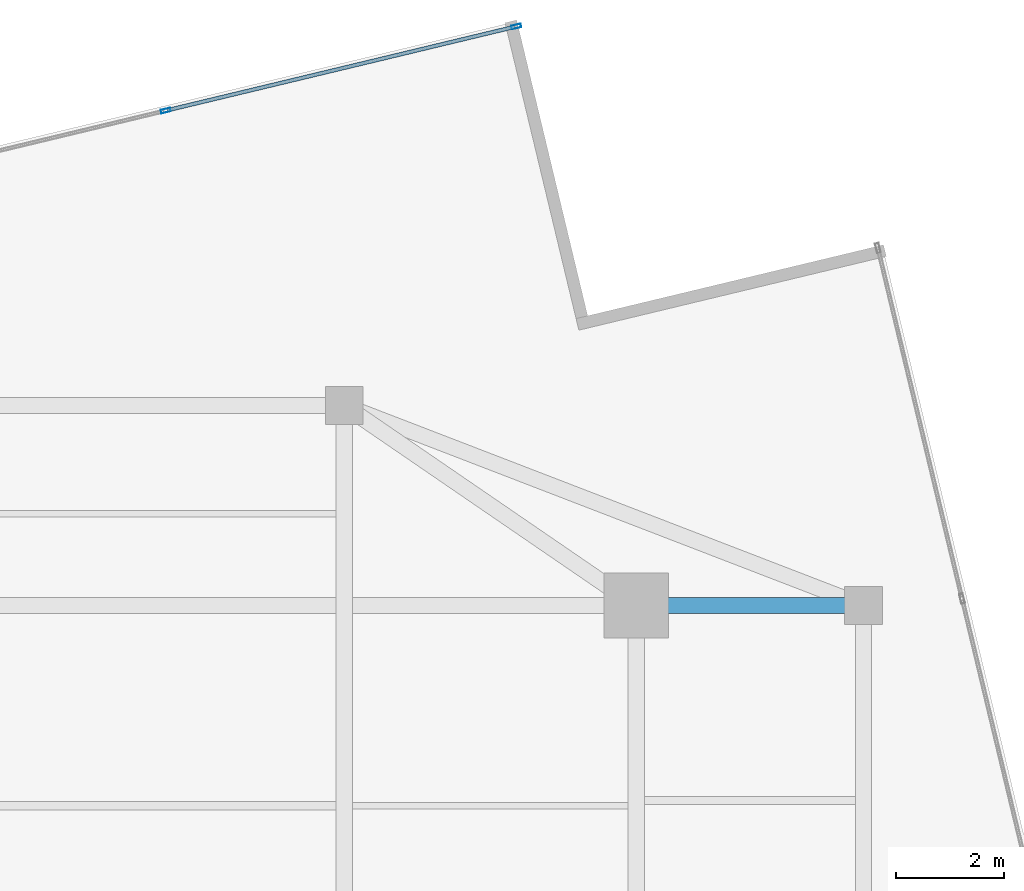
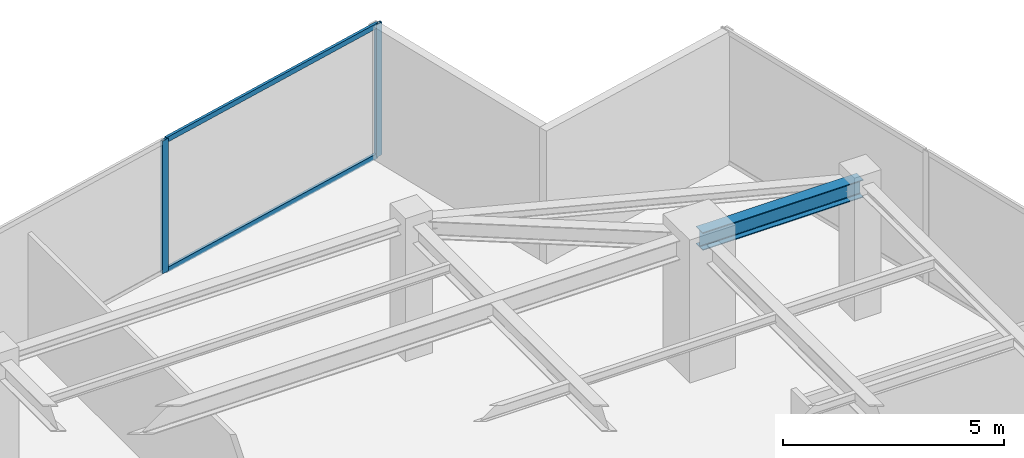
# One storey, part 16 of 22: 4 members, 1 beam, 1 element without a shape of its own.
"""IFC4 building model written with IfcOpenShell, lengths in metres."""

from ifc_helpers import new_model, si_unit, direction, frame, origin, origin_2d, place, context, subcontext, project, spatial, hollow_rectangle, i_section, extrude, source, transform, mapped, material, material_profile, profile_set, type_object, type_shapes, element, aggregate, save


model = new_model("IFC4")

# Units and contexts
model_context = context("Model", 3, precision=1e-05, world=origin(), true_north=direction((0.0, 1.0)))
body_context = subcontext(model_context, "Body", "Model", "MODEL_VIEW")
ifc_project = project(units=[si_unit("LENGTHUNIT", "METRE"), si_unit("AREAUNIT", "SQUARE_METRE"), si_unit("VOLUMEUNIT", "CUBIC_METRE"), si_unit("PLANEANGLEUNIT", "RADIAN"), si_unit("MASSUNIT", "GRAM", prefix="KILO")], contexts=[model_context])

# Site, building, storey
site_placement = place(None, origin())
site = spatial("IfcSite", under=ifc_project, at=site_placement, CompositionType="ELEMENT")
building_placement = place(site_placement, origin())
building = spatial("IfcBuilding", under=site, at=building_placement, Name="Krantzveldt Concourse Tower", CompositionType="ELEMENT")
storey_placement = place(building_placement, frame((0.0, 0.0, 355.35009765625)))
storey = spatial("IfcBuildingStorey", under=building, at=storey_placement, Name="L87", CompositionType="ELEMENT", Elevation=355.35009765625)

# Beam
ifc_material_1 = material(Name="Steel S355JR", Category="steel")
ifc_material_profile_1 = material_profile(ifc_material_1, i_section(OverallWidth=0.300048828125, OverallDepth=0.489990234375, WebThickness=0.011962890625, FlangeThickness=0.02294921875, FilletRadius=0.027099609375, at=origin_2d()), Name="Steel S355JR", Category="steel")
ifc_profile_set_1 = profile_set([ifc_material_profile_1], Name="Steel S355JR - HEA 500")
beam_type = type_object("IfcBeamType", Name="BM-B-HEA500", PredefinedType="BEAM", material=ifc_profile_set_1)
shared_shape_1 = source(origin(), body_context, "Body", "SweptSolid", [
    extrude(i_section(OverallWidth=0.300048828125, OverallDepth=0.489990234375, WebThickness=0.011962890625, FlangeThickness=0.02294921875, FilletRadius=0.027099609375, at=origin_2d()), origin(), (0.0, 0.0, 1.0), 4.199951171875),
])
type_shapes(beam_type, [shared_shape_1])
beam_placement = place(storey_placement, frame((46.800048828125, 37.5, 3.4248046875), z_axis=(1.0, 0.0, 0.0), x_axis=(0.0, 1.0, 0.0)))
element("IfcBeam", 1, at=beam_placement, inside=storey, type_object=beam_type, Name="L87 Tower Girder BR-RR3", PredefinedType="BEAM", context=body_context, shape_type="MappedRepresentation", body=[
    mapped(shared_shape_1, transform((0.0, 0.0, 0.0), x_axis=(1.0, 0.0, 0.0), y_axis=(0.0, 1.0, 0.0), z_axis=(0.0, 0.0, 1.0), scale=1.0)),
])

# Curtain wall, members
ifc_material_2 = material(Name="Anodised aluminium 6063-T6", Category="aluminium")
curtain_wall_type = type_object("IfcCurtainWallType", Name="CW4", PredefinedType="USERDEFINED", material=ifc_material_2)
curtain_wall_placement = place(storey_placement, origin())
curtain_wall = element("IfcCurtainWall", 2, at=curtain_wall_placement, inside=storey, type_object=curtain_wall_type, Name="CW-L87-F01", ObjectType="UNITISED CURTAIN WALL", PredefinedType="USERDEFINED")
ifc_material_profile_2 = material_profile(ifc_material_2, hollow_rectangle(XDim=0.070068359375, YDim=0.179931640625, WallThickness=0.0048828125, at=origin_2d()), Name="Anodised aluminium 6063-T6", Category="aluminium")
ifc_profile_set_2 = profile_set([ifc_material_profile_2], Name="Anodised aluminium 6063-T6 - ALU-MULL 180x70x5")
member_type_1 = type_object("IfcMemberType", Name="CW-MUL-180", PredefinedType="MULLION", material=ifc_profile_set_2)
shared_shape_2 = source(origin(), body_context, "Body", "SweptSolid", [
    extrude(hollow_rectangle(XDim=0.070068359375, YDim=0.179931640625, WallThickness=0.0048828125, at=origin_2d()), origin(), (0.0, 0.0, 1.0), 3.669921875),
])
type_shapes(member_type_1, [shared_shape_2])
member_1_placement = place(storey_placement, frame((44.581298828125, 48.20751953125, 0.0), z_axis=(0.0, 0.0, 1.0), x_axis=(0.233445461796, -0.972369896884, 0.0)))
member_1 = element("IfcMember", 3, at=member_1_placement, type_object=member_type_1, Name="CW-Z56 mullion 1", PredefinedType="MULLION", context=body_context, shape_type="MappedRepresentation", body=[
    mapped(shared_shape_2, transform((0.0, 0.0, 0.0), x_axis=(1.0, 0.0, 0.0), y_axis=(0.0, 1.0, 0.0), z_axis=(0.0, 0.0, 1.0), scale=1.0)),
])
member_2_placement = place(storey_placement, frame((38.100341796875, 46.651611328125, 0.0), z_axis=(0.0, 0.0, 1.0), x_axis=(0.233445461796, -0.972369896884, 0.0)))
member_2 = element("IfcMember", 4, at=member_2_placement, type_object=member_type_1, Name="CW-Z56 mullion 2", PredefinedType="MULLION", context=body_context, shape_type="MappedRepresentation", body=[
    mapped(shared_shape_2, transform((0.0, 0.0, 0.0), x_axis=(1.0, 0.0, 0.0), y_axis=(0.0, 1.0, 0.0), z_axis=(0.0, 0.0, 1.0), scale=1.0)),
])
ifc_material_profile_3 = material_profile(ifc_material_2, hollow_rectangle(XDim=0.070068359375, YDim=0.139892578125, WallThickness=0.0048828125, at=origin_2d()), Name="Anodised aluminium 6063-T6", Category="aluminium")
ifc_profile_set_3 = profile_set([ifc_material_profile_3], Name="Anodised aluminium 6063-T6 - ALU-TRAN 140x70x5")
member_type_2 = type_object("IfcMemberType", Name="CW-TRN-150", PredefinedType="USERDEFINED", material=ifc_profile_set_3)
shared_shape_3 = source(origin(), body_context, "Body", "SweptSolid", [
    extrude(hollow_rectangle(XDim=0.070068359375, YDim=0.139892578125, WallThickness=0.0048828125, at=origin_2d()), origin(), (0.0, 0.0, 1.0), 6.59521484375),
])
type_shapes(member_type_2, [shared_shape_3])
member_3_placement = place(storey_placement, frame((44.54736328125, 48.199462890625, 0.034912109375), z_axis=(-0.972362767007, -0.23347515786, 0.0), x_axis=(0.23347515786, -0.972362767007, 0.0)))
member_3 = element("IfcMember", 5, at=member_3_placement, type_object=member_type_2, Name="CW-Z56 transom 1.1", ObjectType="TRANSOM", PredefinedType="USERDEFINED", context=body_context, shape_type="MappedRepresentation", body=[
    mapped(shared_shape_3, transform((0.0, 0.0, 0.0), x_axis=(1.0, 0.0, 0.0), y_axis=(0.0, 1.0, 0.0), z_axis=(0.0, 0.0, 1.0), scale=1.0)),
])
member_4_placement = place(storey_placement, frame((44.54736328125, 48.199462890625, 3.635009765625), z_axis=(-0.972362767007, -0.23347515786, 0.0), x_axis=(0.23347515786, -0.972362767007, 0.0)))
member_4 = element("IfcMember", 6, at=member_4_placement, type_object=member_type_2, Name="CW-Z56 transom 1.2", ObjectType="TRANSOM", PredefinedType="USERDEFINED", context=body_context, shape_type="MappedRepresentation", body=[
    mapped(shared_shape_3, transform((0.0, 0.0, 0.0), x_axis=(1.0, 0.0, 0.0), y_axis=(0.0, 1.0, 0.0), z_axis=(0.0, 0.0, 1.0), scale=1.0)),
])
aggregate(curtain_wall, [member_1, member_2, member_3, member_4])

save(model, "model.ifc")
